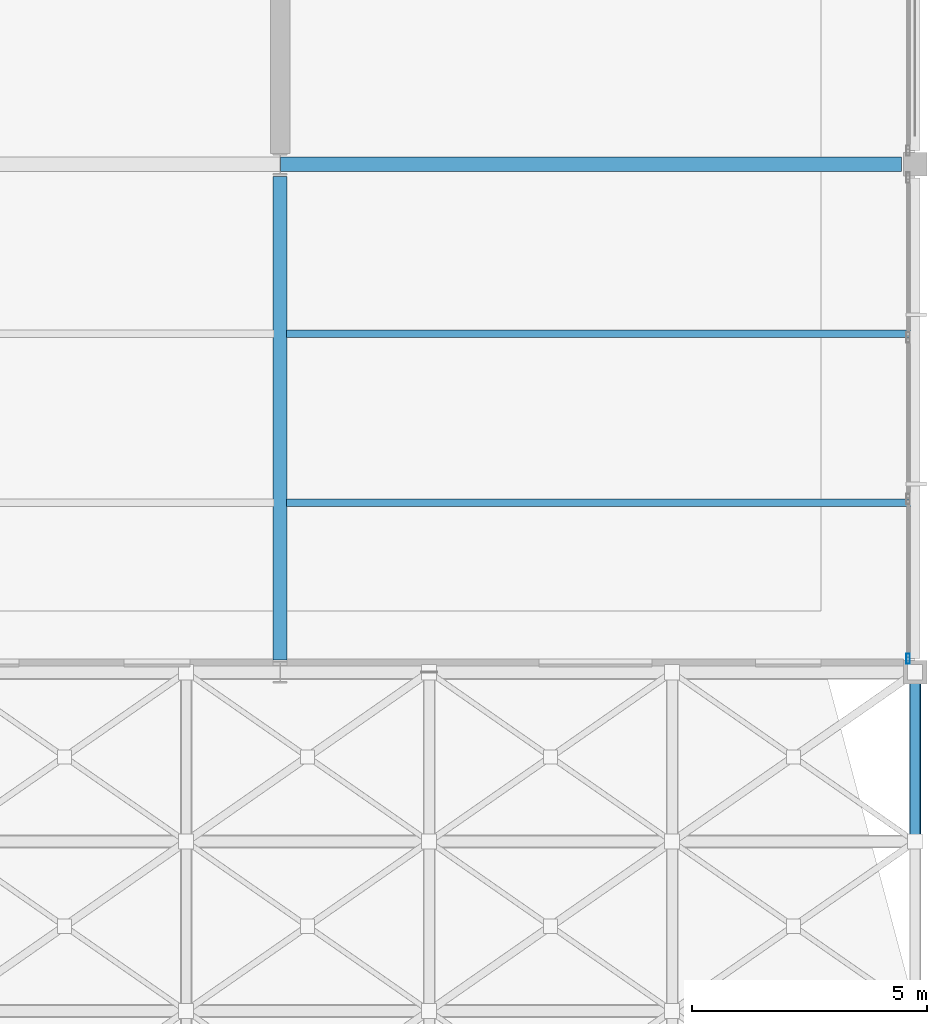
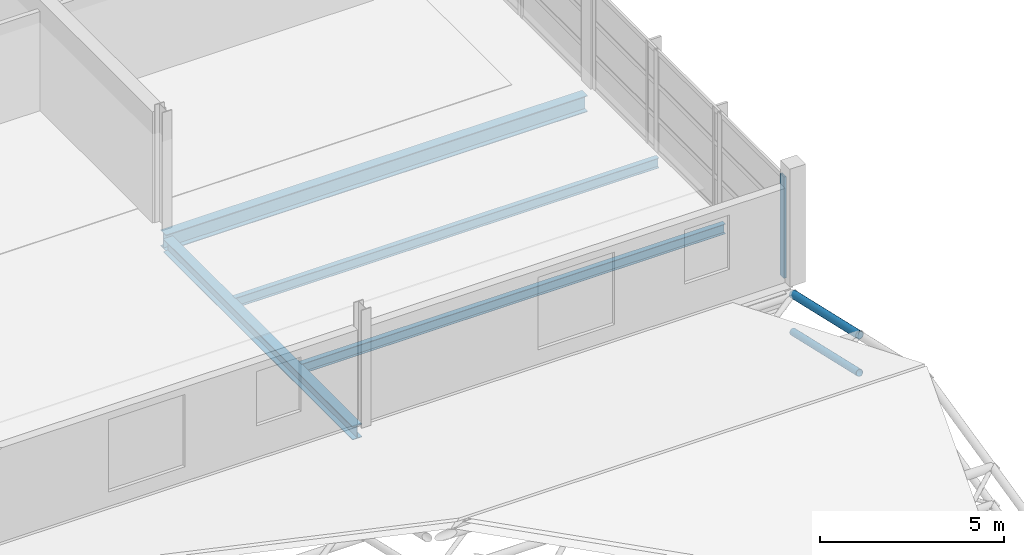
# One storey, part 50 of 110: 4 beams, 3 members, 1 element without a shape of its own.
"""IFC4 building model written with IfcOpenShell, lengths in metres."""

import ifcopenshell
import ifcopenshell.guid

model = None  # the IFC model being written
_history = None  # IfcOwnerHistory: only IFC2X3 demands one
_inside = {}  # id of a spatial element -> (the spatial element, [elements in it])
_under = {}  # id of a project, library or spatial element -> (it, [spatial elements below it])
_declared = {}  # id of a project -> (the project, [libraries it declares])
_typed = {}  # id of a type object -> (the type object, [elements of that type])
_made_of = {}  # id of a material, layer set ... -> (it, [elements and type objects made of it])


def new_model(schema):
    """Start an empty IFC model of exactly this schema.

    Asked for "IFC4X3", IfcOpenShell would pick the latest addendum, in which some entities
    have other attributes; the version numbers below select the first issue.
    IFC2X3 requires an IfcOwnerHistory on every rooted entity: one is made here for all.
    """
    global model, _history
    if schema == "IFC4X3":
        model = ifcopenshell.file(schema_version=(4, 3, 0, 0))
    else:
        model = ifcopenshell.file(schema=schema)
    _inside.clear()
    _under.clear()
    _declared.clear()
    _typed.clear()
    _made_of.clear()
    _history = None
    if model.schema == "IFC2X3":
        org = make("IfcOrganization", Name="unknown")
        user = make(
            "IfcPersonAndOrganization",
            ThePerson=make("IfcPerson", FamilyName="unknown"),
            TheOrganization=org,
        )
        app = make(
            "IfcApplication",
            ApplicationDeveloper=org,
            Version="unknown",
            ApplicationFullName="unknown",
            ApplicationIdentifier="unknown",
        )
        _history = make(
            "IfcOwnerHistory",
            OwningUser=user,
            OwningApplication=app,
            ChangeAction="ADDED",
            CreationDate=0,
        )
    return model


def make(cls, **values):
    """One entity of the class cls with the attributes given. An attribute that is None is left unset."""
    return model.create_entity(
        cls, **{name: value for name, value in values.items() if value is not None}
    )


def rooted(cls, **values):
    """An entity with a GlobalId (a new one), such as an element, a storey or a relation."""
    return make(cls, GlobalId=ifcopenshell.guid.new(), OwnerHistory=_history, **values)


def si_unit(unit_type, name, prefix=None):
    """IfcSIUnit, for example si_unit("LENGTHUNIT", "METRE", prefix="MILLI")."""
    return make("IfcSIUnit", UnitType=unit_type, Prefix=prefix, Name=name)


def assignment(units):
    """IfcUnitAssignment: the units of a project."""
    return None if units is None else make("IfcUnitAssignment", Units=units)


def point(xyz):
    """IfcCartesianPoint."""
    return None if xyz is None else make("IfcCartesianPoint", Coordinates=xyz)


def direction(xyz):
    """IfcDirection."""
    return None if xyz is None else make("IfcDirection", DirectionRatios=xyz)


def frame(location, z_axis=None, x_axis=None):
    """IfcAxis2Placement3D, a coordinate frame: its origin and axes. An axis left out is left unset."""
    return make(
        "IfcAxis2Placement3D",
        Location=point(location),
        Axis=direction(z_axis),
        RefDirection=direction(x_axis),
    )


def frame_2d(location, x_axis=None):
    """IfcAxis2Placement2D, a coordinate frame in the plane: its origin and x axis."""
    return make(
        "IfcAxis2Placement2D", Location=point(location), RefDirection=direction(x_axis)
    )


def origin():
    """The frame at (0, 0, 0) with its axes left unset."""
    return frame((0.0, 0.0, 0.0))


def origin_2d():
    """The frame at (0, 0) in the plane with its x axis left unset."""
    return frame_2d((0.0, 0.0))


def place(relative_to, where):
    """IfcLocalPlacement: puts the frame where relative to a parent placement (None: the world)."""
    return make(
        "IfcLocalPlacement", PlacementRelTo=relative_to, RelativePlacement=where
    )


def context(
    kind, dimensions, precision=None, world=None, true_north=None, identifier=None
):
    """IfcGeometricRepresentationContext, for example the 3D "Model" context."""
    return make(
        "IfcGeometricRepresentationContext",
        ContextIdentifier=identifier,
        ContextType=kind,
        CoordinateSpaceDimension=dimensions,
        Precision=precision,
        WorldCoordinateSystem=world,
        TrueNorth=true_north,
    )


def subcontext(parent, identifier, kind, view, scale=None):
    """IfcGeometricRepresentationSubContext, for example "Body" below "Model"."""
    return make(
        "IfcGeometricRepresentationSubContext",
        ContextIdentifier=identifier,
        ContextType=kind,
        ParentContext=parent,
        TargetScale=scale,
        TargetView=view,
    )


def project(units=None, contexts=None):
    """IfcProject with its units and contexts."""
    return rooted(
        "IfcProject",
        Name="project",
        RepresentationContexts=contexts,
        UnitsInContext=assignment(units),
    )


def spatial(cls, under=None, at=None, **own):
    """A site, building, storey or space (cls), placed at a placement, below another one or the project."""
    s = rooted(cls, ObjectPlacement=at, **own)
    if under is not None:
        _under.setdefault(under.id(), (under, []))[1].append(s)
    return s


def profile(cls, at=None, kind="AREA", **sizes):
    """A parametric profile (cls). Its sizes go by their IFC names, for example OverallWidth=200.0."""
    return make(cls, ProfileType=kind, Position=at, **sizes)


def hollow_rectangle(**sizes):
    """IfcRectangleHollowProfileDef."""
    return profile("IfcRectangleHollowProfileDef", **sizes)


def hollow_circle(**sizes):
    """IfcCircleHollowProfileDef."""
    return profile("IfcCircleHollowProfileDef", **sizes)


def i_section(**sizes):
    """IfcIShapeProfileDef."""
    return profile("IfcIShapeProfileDef", **sizes)


def extrude(swept, where, along, depth):
    """IfcExtrudedAreaSolid: the profile swept, set in the frame where, extruded along a direction by depth."""
    return make(
        "IfcExtrudedAreaSolid",
        SweptArea=swept,
        Position=where,
        ExtrudedDirection=direction(along),
        Depth=depth,
    )


def shape(context_of_items, identifier, shape_type, items):
    """IfcShapeRepresentation: the items that make up one representation, for example the "Body"."""
    return make(
        "IfcShapeRepresentation",
        ContextOfItems=context_of_items,
        RepresentationIdentifier=identifier,
        RepresentationType=shape_type,
        Items=items,
    )


def material(Name=None, Category=None):
    """IfcMaterial."""
    return make("IfcMaterial", Name=Name, Category=Category)


def layer(
    of_material, thickness, ventilated=None, Name=None, Category=None, Priority=None
):
    """IfcMaterialLayer: one layer of a wall or slab, of a material (None: an air gap)."""
    return make(
        "IfcMaterialLayer",
        Material=of_material,
        LayerThickness=thickness,
        IsVentilated=ventilated,
        Name=Name,
        Category=Category,
        Priority=Priority,
    )


def layer_set(layers, Name=None):
    """IfcMaterialLayerSet."""
    return make("IfcMaterialLayerSet", MaterialLayers=layers, LayerSetName=Name)


def material_profile(
    of_material, cross_section, Name=None, Category=None, Priority=None
):
    """IfcMaterialProfile: a cross section and its material."""
    return make(
        "IfcMaterialProfile",
        Name=Name,
        Material=of_material,
        Profile=cross_section,
        Priority=Priority,
        Category=Category,
    )


def profile_set(profiles, Name=None, composite=None):
    """IfcMaterialProfileSet."""
    return make(
        "IfcMaterialProfileSet",
        Name=Name,
        MaterialProfiles=profiles,
        CompositeProfile=composite,
    )


def made_of(thing, what):
    """Note that an element or type object is made of a material, layer set ...; save() writes the relation."""
    if what is not None:
        _made_of.setdefault(what.id(), (what, []))[1].append(thing)
    return thing


def type_object(cls, material=None, **own):
    """A type object (cls), such as IfcWallType, which elements share."""
    return made_of(rooted(cls, **own), material)


def element(
    cls,
    number,
    at=None,
    inside=None,
    cuts=None,
    type_object=None,
    material=None,
    context=None,
    identifier="Body",
    shape_type=None,
    held_by="IfcProductDefinitionShape",
    body=None,
    shapes=None,
    **own,
):
    """One element of the class cls, such as IfcWall. Its Tag is "e" and its number.

    at: its placement. inside: the storey or other place that contains it. cuts: it is an
    opening in that element (IfcRelVoidsElement). A single representation is given by context,
    identifier, shape_type and body (its items); several are given by shapes. held_by: the class
    of the entity that holds the representations. save() writes the other relations.
    """
    e = rooted(cls, Tag="e%d" % number, ObjectPlacement=at, **own)
    if body is not None:
        shapes = [shape(context, identifier, shape_type, body)]
    if shapes is not None:
        e.Representation = make(held_by, Representations=shapes)
    if inside is not None:
        _inside.setdefault(inside.id(), (inside, []))[1].append(e)
    if cuts is not None:
        rooted(
            "IfcRelVoidsElement", RelatingBuildingElement=cuts, RelatedOpeningElement=e
        )
    if type_object is not None:
        _typed.setdefault(type_object.id(), (type_object, []))[1].append(e)
    return made_of(e, material)


def aggregate(whole, parts):
    """IfcRelAggregates: a whole, such as a stair, and the parts it consists of."""
    return rooted("IfcRelAggregates", RelatingObject=whole, RelatedObjects=parts)


def save(model, path):
    """Write the relations noted so far, then the file.

    IfcRelAggregates (storeys below a building ...), IfcRelContainedInSpatialStructure (elements
    in a storey), IfcRelDefinesByType, IfcRelAssociatesMaterial and IfcRelDeclares: one each for
    every whole, place, type object, material and project.
    """
    for whole, parts in _under.values():
        aggregate(whole, parts)
    for where, things in _inside.values():
        rooted(
            "IfcRelContainedInSpatialStructure",
            RelatedElements=things,
            RelatingStructure=where,
        )
    for kind, things in _typed.values():
        rooted("IfcRelDefinesByType", RelatedObjects=things, RelatingType=kind)
    for what, things in _made_of.values():
        rooted("IfcRelAssociatesMaterial", RelatedObjects=things, RelatingMaterial=what)
    for by, libraries in _declared.values():
        rooted("IfcRelDeclares", RelatingContext=by, RelatedDefinitions=libraries)
    model.write(path)


model = new_model("IFC4")

# Units and contexts
model_context = context("Model", 3, precision=1e-05, world=origin(), true_north=direction((0.0, 1.0)))
body_context = subcontext(model_context, "Body", "Model", "MODEL_VIEW")
ifc_project = project(units=[si_unit("LENGTHUNIT", "METRE"), si_unit("AREAUNIT", "SQUARE_METRE"), si_unit("VOLUMEUNIT", "CUBIC_METRE"), si_unit("PLANEANGLEUNIT", "RADIAN"), si_unit("MASSUNIT", "GRAM", prefix="KILO")], contexts=[model_context])

# Site, building, storey
site_placement = place(None, origin())
site = spatial("IfcSite", under=ifc_project, at=site_placement, CompositionType="ELEMENT")
building_placement = place(site_placement, origin())
building = spatial("IfcBuilding", under=site, at=building_placement, Name="Tamarisk Ironworks Central Station", CompositionType="ELEMENT")
storey_placement = place(building_placement, frame((0.0, 0.0, 17.39990234375)))
storey = spatial("IfcBuildingStorey", under=building, at=storey_placement, Name="L03", CompositionType="ELEMENT", Elevation=17.39990234375)

# Beams
ifc_material_1 = material(Name="Structural steel S355J2", Category="steel")
ifc_material_profile_1 = material_profile(ifc_material_1, i_section(OverallWidth=0.159912109375, OverallDepth=0.330078125, WebThickness=0.007568359375, FlangeThickness=0.011474609375, at=origin_2d()), Name="IPE 330")
ifc_profile_set_1 = profile_set([ifc_material_profile_1], Name="Structural steel S355J2")
beam_type_1 = type_object("IfcBeamType", Name="BM-B06", PredefinedType="BEAM", material=ifc_profile_set_1)
for number, where, z_axis, x_axis, name in (
    (1, (166.635009765625, 82.800048828125, -0.414794921875), (1.0, 0.0, 0.0), (0.0, 1.0, 0.0), "L03 secondary composite beam 0224"),
    (2, (166.635009765625, 86.39990234375, -0.414794921875), (1.0, 0.0, 0.0), (0.0, 1.0, 0.0), "L03 secondary composite beam 0225"),
):
    element("IfcBeam", number, at=place(storey_placement, frame(where, z_axis=z_axis, x_axis=x_axis)), inside=storey, type_object=beam_type_1, Name=name, PredefinedType="BEAM", context=body_context, shape_type="SweptSolid", body=[
        extrude(i_section(OverallWidth=0.159912109375, OverallDepth=0.330078125, WebThickness=0.007568359375, FlangeThickness=0.011474609375, at=origin_2d()), origin(), (0.0, 0.0, 1.0), 13.280029296875),
    ])
ifc_material_profile_2 = material_profile(ifc_material_1, i_section(OverallWidth=0.300048828125, OverallDepth=0.5400390625, WebThickness=0.012451171875, FlangeThickness=0.02392578125, at=origin_2d()), Name="HEA 550")
ifc_profile_set_2 = profile_set([ifc_material_profile_2], Name="Structural steel S355J2")
beam_type_2 = type_object("IfcBeamType", Name="BM-G04", PredefinedType="BEAM", material=ifc_profile_set_2)
beam_1_placement = place(storey_placement, frame((166.50390625, 90.0, -0.52001953125), z_axis=(1.0, 0.0, 0.0), x_axis=(0.0, 1.0, 0.0)))
element("IfcBeam", 3, at=beam_1_placement, inside=storey, type_object=beam_type_2, Name="L03 primary girder X-0640", PredefinedType="BEAM", context=body_context, shape_type="SweptSolid", body=[
    extrude(i_section(OverallWidth=0.300048828125, OverallDepth=0.5400390625, WebThickness=0.012451171875, FlangeThickness=0.02392578125, at=origin_2d()), origin(), (0.0, 0.0, 1.0), 13.2080078125),
])
ifc_material_profile_3 = material_profile(ifc_material_1, i_section(OverallWidth=0.300048828125, OverallDepth=0.43994140625, WebThickness=0.011474609375, FlangeThickness=0.02099609375, at=origin_2d()), Name="HEA 450")
ifc_profile_set_3 = profile_set([ifc_material_profile_3], Name="Structural steel S355J2")
beam_type_3 = type_object("IfcBeamType", Name="BM-G06", PredefinedType="BEAM", material=ifc_profile_set_3)
beam_2_placement = place(storey_placement, frame((166.5, 79.462890625, -0.469970703125), z_axis=(0.0, 1.0, 0.0), x_axis=(-1.0, 0.0, 0.0)))
element("IfcBeam", 4, at=beam_2_placement, inside=storey, type_object=beam_type_3, Name="L03 primary girder Y-0697", PredefinedType="BEAM", context=body_context, shape_type="SweptSolid", body=[
    extrude(i_section(OverallWidth=0.300048828125, OverallDepth=0.43994140625, WebThickness=0.011474609375, FlangeThickness=0.02099609375, at=origin_2d()), origin(), (0.0, 0.0, 1.0), 10.274169921875),
])

# Curtain wall, member
ifc_material_2 = material(Name="Anodized aluminium alloy 6063-T6", Category="aluminium")
ifc_layer = layer(ifc_material_2, 0.179931640625)
ifc_layer_set = layer_set([ifc_layer], Name="Anodized aluminium alloy 6063-T6")
curtain_wall_type = type_object("IfcCurtainWallType", Name="CW-21", PredefinedType="USERDEFINED", material=ifc_layer_set)
curtain_wall_placement = place(storey_placement, origin())
curtain_wall = element("IfcCurtainWall", 5, at=curtain_wall_placement, inside=storey, type_object=curtain_wall_type, Name="Operations L03 east facade curtain wall 079", ObjectType="GLAZED CURTAIN WALL", PredefinedType="USERDEFINED")
ifc_material_profile_4 = material_profile(ifc_material_2, hollow_rectangle(XDim=0.074951171875, YDim=0.219970703125, WallThickness=0.00390625, at=origin_2d()), Name="ALUM 220x75")
ifc_profile_set_4 = profile_set([ifc_material_profile_4], Name="Anodized aluminium alloy 6063-T6")
member_type_1 = type_object("IfcMemberType", Name="CWM-01", PredefinedType="MULLION", material=ifc_profile_set_4)
member_1_placement = place(storey_placement, frame((179.85009765625, 79.485595703125, 0.0), z_axis=(0.0, 0.0, 1.0), x_axis=(-1.0, 0.0, 0.0)))
member_1 = element("IfcMember", 6, at=member_1_placement, type_object=member_type_1, Name="CW21 mullion 1", PredefinedType="MULLION", context=body_context, shape_type="SweptSolid", body=[
    extrude(hollow_rectangle(XDim=0.074951171875, YDim=0.219970703125, WallThickness=0.00390625, at=origin_2d()), origin(), (0.0, 0.0, 1.0), 3.360107421875),
])
aggregate(curtain_wall, [member_1])

# Members
ifc_material_3 = material(Name="Structural steel S355J2H", Category="steel")
ifc_material_profile_5 = material_profile(ifc_material_3, hollow_circle(Radius=0.122314453125, WallThickness=0.012451171875, at=origin_2d()), Name="CHS 244.5x12.5")
ifc_profile_set_5 = profile_set([ifc_material_profile_5], Name="Structural steel S355J2H")
member_type_2 = type_object("IfcMemberType", Name="MB-SFC02", PredefinedType="CHORD", material=ifc_profile_set_5)
member_2_placement = place(storey_placement, frame((180.0, 75.60009765625, 0.35498046875), z_axis=(0.0, 0.974733218107, -0.223372230857), x_axis=(-1.0, 0.0, 0.0)))
element("IfcMember", 7, at=member_2_placement, inside=storey, type_object=member_type_2, Name="Train shed space-frame top transverse chord 2014", PredefinedType="CHORD", context=body_context, shape_type="SweptSolid", body=[
    extrude(hollow_circle(Radius=0.122314453125, WallThickness=0.012451171875, at=origin_2d()), origin(), (0.0, 0.0, 1.0), 3.693115234375),
])
ifc_material_profile_6 = material_profile(ifc_material_3, hollow_circle(Radius=0.109619140625, WallThickness=0.010009765625, at=origin_2d()), Name="CHS 219.1x10")
ifc_profile_set_6 = profile_set([ifc_material_profile_6], Name="Structural steel S355J2H")
member_type_3 = type_object("IfcMemberType", Name="MB-SFC03", PredefinedType="CHORD", material=ifc_profile_set_6)
member_3_placement = place(storey_placement, frame((180.0, 75.60009765625, -0.89501953125), z_axis=(0.0, 0.974733218107, -0.223372230857), x_axis=(-1.0, 0.0, 0.0)))
element("IfcMember", 8, at=member_3_placement, inside=storey, type_object=member_type_3, Name="Train shed space-frame transverse chord 1914", PredefinedType="CHORD", context=body_context, shape_type="SweptSolid", body=[
    extrude(hollow_circle(Radius=0.109619140625, WallThickness=0.010009765625, at=origin_2d()), origin(), (0.0, 0.0, 1.0), 3.693115234375),
])

save(model, "model.ifc")
